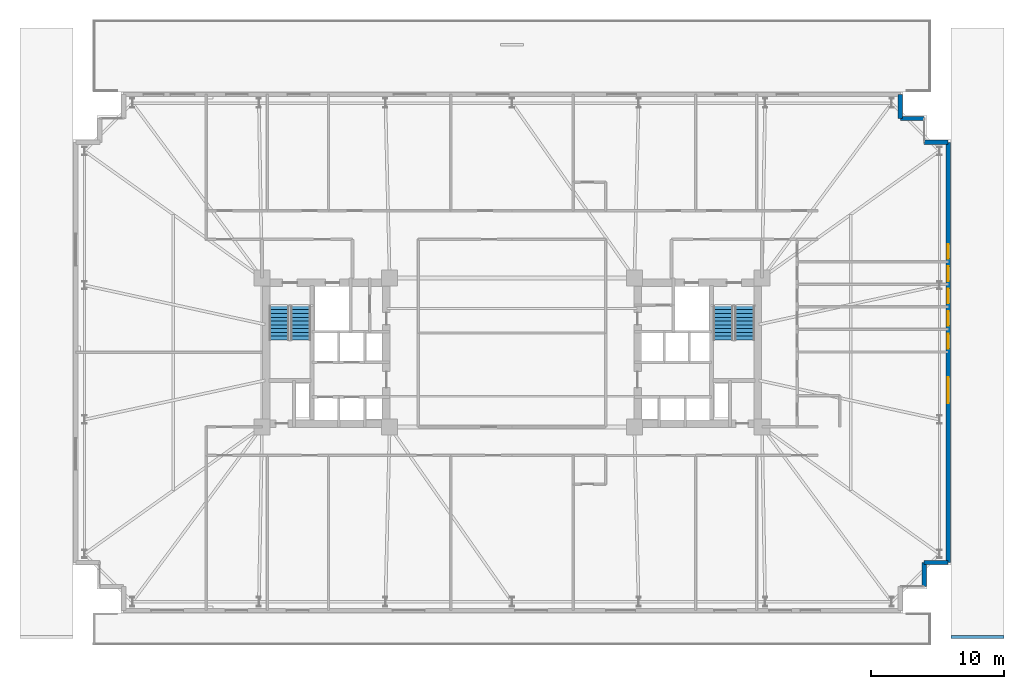
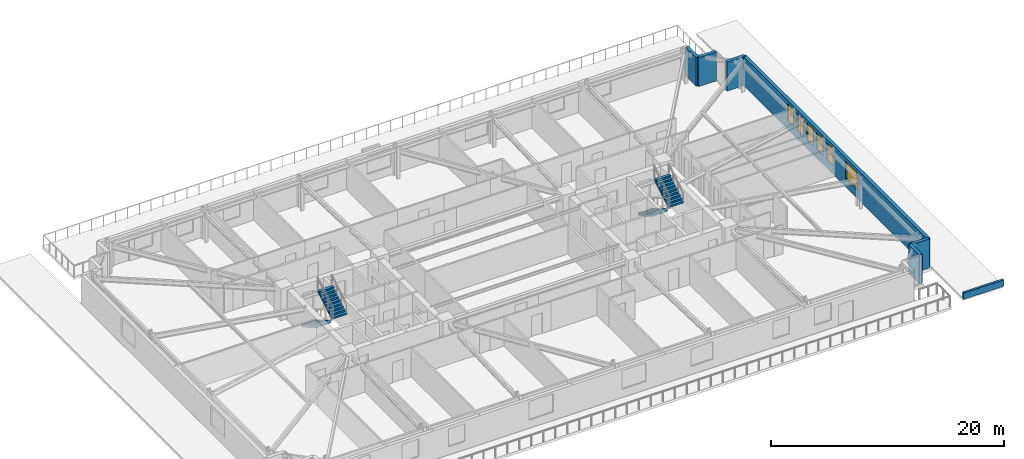
# One storey, part 16 of 21: 7 walls, 6 windows, 4 stair flights, 6 openings, 2 elements without a shape of their own.
"""IFC4 building model written with IfcOpenShell, lengths in metres."""

from ifc_helpers import new_model, si_unit, direction, frame, frame_2d, origin, place, context, subcontext, project, spatial, polyline, rectangle, outline, extrude, material, layer, layer_set, type_object, element, fill, aggregate, save


model = new_model("IFC4")

# Units and contexts
model_context = context("Model", 3, precision=1e-05, world=origin(), true_north=direction((0.0, 1.0)))
body_context = subcontext(model_context, "Body", "Model", "MODEL_VIEW")
ifc_project = project(units=[si_unit("LENGTHUNIT", "METRE"), si_unit("AREAUNIT", "SQUARE_METRE"), si_unit("VOLUMEUNIT", "CUBIC_METRE"), si_unit("PLANEANGLEUNIT", "RADIAN"), si_unit("MASSUNIT", "GRAM", prefix="KILO")], contexts=[model_context])

# Site, building, storey
site_placement = place(None, origin())
site = spatial("IfcSite", under=ifc_project, at=site_placement, CompositionType="ELEMENT")
building_placement = place(site_placement, origin())
building = spatial("IfcBuilding", under=site, at=building_placement, Name="Qobustan Lattice House", CompositionType="ELEMENT")
storey_placement = place(building_placement, frame((0.0, 0.0, 27.0)))
storey = spatial("IfcBuildingStorey", under=building, at=storey_placement, Name="L06", CompositionType="ELEMENT", Elevation=27.0)

# Walls
ifc_material_1 = material(Name="Precast concrete C40/50", Category="concrete")
ifc_layer_1 = layer(ifc_material_1, 0.320068359375)
ifc_layer_set_1 = layer_set([ifc_layer_1], Name="Precast concrete C40/50")
wall_type_1 = type_object("IfcWallType", Name="WAL-EXT-STONE-320", PredefinedType="SOLIDWALL", material=ifc_layer_set_1)
wall_1_placement = place(storey_placement, frame((29.199951171875, 19.39990234375, 0.0), z_axis=(0.0, 0.0, 1.0), x_axis=(0.0, -1.0, 0.0)))
element("IfcWall", 1, at=wall_1_placement, inside=storey, type_object=wall_type_1, Name="L06 exterior limestone-clad wall 11", PredefinedType="SOLIDWALL", context=body_context, shape_type="SweptSolid", body=[
    extrude(rectangle(XDim=1.7998046875, YDim=0.320068359375, at=frame_2d((0.89990234375, 0.0))), origin(), (0.0, 0.0, 1.0), 3.034912109375),
])
for number, where, z_axis, x_axis, name in (
    (2, (29.199951171875, 17.60009765625, 0.0), (0.0, 0.0, 1.0), (1.0, 0.0, 0.0), "L06 exterior limestone-clad wall 12"),
    (3, (31.0, 15.800048828125, 0.0), (0.0, 0.0, 1.0), (1.0, 0.0, 0.0), "L06 exterior limestone-clad wall 14"),
):
    element("IfcWall", number, at=place(storey_placement, frame(where, z_axis=z_axis, x_axis=x_axis)), inside=storey, type_object=wall_type_1, Name=name, PredefinedType="SOLIDWALL", context=body_context, shape_type="SweptSolid", body=[
        extrude(rectangle(XDim=1.800048828125, YDim=0.320068359375, at=frame_2d((0.89990234375, 0.0))), origin(), (0.0, 0.0, 1.0), 3.034912109375),
    ])

# Wall, openings, windows
wall_2_placement = place(storey_placement, frame((32.800048828125, 15.800048828125, 0.0), z_axis=(0.0, 0.0, 1.0), x_axis=(0.0, -1.0, 0.0)))
wall_2 = element("IfcWall", 4, at=wall_2_placement, inside=storey, type_object=wall_type_1, Name="L06 exterior limestone-clad wall 15", PredefinedType="SOLIDWALL", context=body_context, shape_type="SweptSolid", body=[
    extrude(rectangle(XDim=31.60009765625, YDim=0.320068359375, at=frame_2d((15.800048828125, 0.0))), origin(), (0.0, 0.0, 1.0), 3.034912109375),
])
opening_1_placement = place(wall_2_placement, frame((7.64990234375, 0.0, 0.85009765625)))
opening_1 = element("IfcOpeningElement", 5, at=opening_1_placement, cuts=wall_2, Name="Opening WN-04", PredefinedType="OPENING", context=body_context, shape_type="SweptSolid", body=[
    extrude(rectangle(XDim=1.10009765625, YDim=1.85009765625, at=frame_2d((0.550048828125, 0.925048828125))), frame((0.0, 0.169921875, 0.0), z_axis=(0.0, -1.0, 0.0), x_axis=(1.0, 0.0, 0.0)), (0.0, 0.0, 1.0), 0.340087890625),
])
opening_2_placement = place(wall_2_placement, frame((9.330078125, 0.0, 0.85009765625)))
opening_2 = element("IfcOpeningElement", 6, at=opening_2_placement, cuts=wall_2, Name="Opening WN-04", PredefinedType="OPENING", context=body_context, shape_type="SweptSolid", body=[
    extrude(rectangle(XDim=1.10009765625, YDim=1.85009765625, at=frame_2d((0.550048828125, 0.925048828125))), frame((0.0, 0.169921875, 0.0), z_axis=(0.0, -1.0, 0.0), x_axis=(1.0, 0.0, 0.0)), (0.0, 0.0, 1.0), 0.340087890625),
])
opening_3_placement = place(wall_2_placement, frame((11.010009765625, 0.0, 0.85009765625)))
opening_3 = element("IfcOpeningElement", 7, at=opening_3_placement, cuts=wall_2, Name="Opening WN-04", PredefinedType="OPENING", context=body_context, shape_type="SweptSolid", body=[
    extrude(rectangle(XDim=1.10009765625, YDim=1.85009765625, at=frame_2d((0.550048828125, 0.925048828125))), frame((0.0, 0.169921875, 0.0), z_axis=(0.0, -1.0, 0.0), x_axis=(1.0, 0.0, 0.0)), (0.0, 0.0, 1.0), 0.340087890625),
])
opening_4_placement = place(wall_2_placement, frame((12.68994140625, 0.0, 0.85009765625)))
opening_4 = element("IfcOpeningElement", 8, at=opening_4_placement, cuts=wall_2, Name="Opening WN-04", PredefinedType="OPENING", context=body_context, shape_type="SweptSolid", body=[
    extrude(rectangle(XDim=1.10009765625, YDim=1.85009765625, at=frame_2d((0.550048828125, 0.925048828125))), frame((0.0, 0.169921875, 0.0), z_axis=(0.0, -1.0, 0.0), x_axis=(1.0, 0.0, 0.0)), (0.0, 0.0, 1.0), 0.340087890625),
])
opening_5_placement = place(wall_2_placement, frame((14.409912109375, 0.0, 0.85009765625)))
opening_5 = element("IfcOpeningElement", 9, at=opening_5_placement, cuts=wall_2, Name="Opening WN-04", PredefinedType="OPENING", context=body_context, shape_type="SweptSolid", body=[
    extrude(rectangle(XDim=1.10009765625, YDim=1.85009765625, at=frame_2d((0.550048828125, 0.925048828125))), frame((0.0, 0.169921875, 0.0), z_axis=(0.0, -1.0, 0.0), x_axis=(1.0, 0.0, 0.0)), (0.0, 0.0, 1.0), 0.340087890625),
])
opening_6_placement = place(wall_2_placement, frame((17.6650390625, 0.0, 0.85009765625)))
opening_6 = element("IfcOpeningElement", 10, at=opening_6_placement, cuts=wall_2, Name="Opening WN-08", PredefinedType="OPENING", context=body_context, shape_type="SweptSolid", body=[
    extrude(rectangle(XDim=1.949951171875, YDim=1.85009765625, at=frame_2d((0.97509765625, 0.925048828125))), frame((0.0, 0.169921875, 0.0), z_axis=(0.0, -1.0, 0.0), x_axis=(1.0, 0.0, 0.0)), (0.0, 0.0, 1.0), 0.340087890625),
])
ifc_material_2 = material(Name="Double-glazed low-E aluminium window", Category="aluminium")
window_type_1 = type_object("IfcWindowType", Name="WIN-KIT-1950x1850", PartitioningType="SINGLE_PANEL", PredefinedType="WINDOW", material=ifc_material_2)
window_1_placement = place(opening_6_placement, origin())
window_1 = element("IfcWindow", 11, at=window_1_placement, inside=storey, type_object=window_type_1, Name="L06 Shared kitchen L06E window", OverallHeight=1.85009765625, OverallWidth=1.949951171875, PartitioningType="SINGLE_PANEL", PredefinedType="WINDOW", context=body_context, shape_type="SweptSolid", body=[
    extrude(rectangle(XDim=1.949951171875, YDim=1.85009765625, at=frame_2d((0.97509765625, 0.925048828125))), frame((0.0, 0.030029296875, 0.0), z_axis=(0.0, -1.0, 0.0), x_axis=(1.0, 0.0, 0.0)), (0.0, 0.0, 1.0), 0.06005859375),
])
fill(opening_6, window_1)
ifc_material_3 = material(Name="Double-glazed low-E aluminium window", Category="aluminium")
window_type_2 = type_object("IfcWindowType", Name="WIN-NAR-1100x1850", PartitioningType="SINGLE_PANEL", PredefinedType="WINDOW", material=ifc_material_3)
window_2_placement = place(opening_1_placement, origin())
window_2 = element("IfcWindow", 12, at=window_2_placement, inside=storey, type_object=window_type_2, Name="L06 Cluster bedroom L06E5 window", OverallHeight=1.85009765625, OverallWidth=1.10009765625, PartitioningType="SINGLE_PANEL", PredefinedType="WINDOW", context=body_context, shape_type="SweptSolid", body=[
    extrude(rectangle(XDim=1.10009765625, YDim=1.85009765625, at=frame_2d((0.550048828125, 0.925048828125))), frame((0.0, 0.030029296875, 0.0), z_axis=(0.0, -1.0, 0.0), x_axis=(1.0, 0.0, 0.0)), (0.0, 0.0, 1.0), 0.06005859375),
])
fill(opening_1, window_2)
window_3_placement = place(opening_2_placement, origin())
window_3 = element("IfcWindow", 13, at=window_3_placement, inside=storey, type_object=window_type_2, Name="L06 Cluster bedroom L06E4 window", OverallHeight=1.85009765625, OverallWidth=1.10009765625, PartitioningType="SINGLE_PANEL", PredefinedType="WINDOW", context=body_context, shape_type="SweptSolid", body=[
    extrude(rectangle(XDim=1.10009765625, YDim=1.85009765625, at=frame_2d((0.550048828125, 0.925048828125))), frame((0.0, 0.030029296875, 0.0), z_axis=(0.0, -1.0, 0.0), x_axis=(1.0, 0.0, 0.0)), (0.0, 0.0, 1.0), 0.06005859375),
])
fill(opening_2, window_3)
window_4_placement = place(opening_3_placement, origin())
window_4 = element("IfcWindow", 14, at=window_4_placement, inside=storey, type_object=window_type_2, Name="L06 Cluster bedroom L06E3 window", OverallHeight=1.85009765625, OverallWidth=1.10009765625, PartitioningType="SINGLE_PANEL", PredefinedType="WINDOW", context=body_context, shape_type="SweptSolid", body=[
    extrude(rectangle(XDim=1.10009765625, YDim=1.85009765625, at=frame_2d((0.550048828125, 0.925048828125))), frame((0.0, 0.030029296875, 0.0), z_axis=(0.0, -1.0, 0.0), x_axis=(1.0, 0.0, 0.0)), (0.0, 0.0, 1.0), 0.06005859375),
])
fill(opening_3, window_4)
window_5_placement = place(opening_4_placement, origin())
window_5 = element("IfcWindow", 15, at=window_5_placement, inside=storey, type_object=window_type_2, Name="L06 Cluster bedroom L06E2 window", OverallHeight=1.85009765625, OverallWidth=1.10009765625, PartitioningType="SINGLE_PANEL", PredefinedType="WINDOW", context=body_context, shape_type="SweptSolid", body=[
    extrude(rectangle(XDim=1.10009765625, YDim=1.85009765625, at=frame_2d((0.550048828125, 0.925048828125))), frame((0.0, 0.030029296875, 0.0), z_axis=(0.0, -1.0, 0.0), x_axis=(1.0, 0.0, 0.0)), (0.0, 0.0, 1.0), 0.06005859375),
])
fill(opening_4, window_5)
window_6_placement = place(opening_5_placement, origin())
window_6 = element("IfcWindow", 16, at=window_6_placement, inside=storey, type_object=window_type_2, Name="L06 Cluster bedroom L06E1 window", OverallHeight=1.85009765625, OverallWidth=1.10009765625, PartitioningType="SINGLE_PANEL", PredefinedType="WINDOW", context=body_context, shape_type="SweptSolid", body=[
    extrude(rectangle(XDim=1.10009765625, YDim=1.85009765625, at=frame_2d((0.550048828125, 0.925048828125))), frame((0.0, 0.030029296875, 0.0), z_axis=(0.0, -1.0, 0.0), x_axis=(1.0, 0.0, 0.0)), (0.0, 0.0, 1.0), 0.06005859375),
])
fill(opening_5, window_6)

# Walls
for number, where, z_axis, x_axis, name in (
    (17, (32.800048828125, -15.800048828125, 0.0), (0.0, 0.0, 1.0), (-1.0, 0.0, 0.0), "L06 exterior limestone-clad wall 16"),
    (18, (31.0, -15.800048828125, 0.0), (0.0, 0.0, 1.0), (0.0, -1.0, 0.0), "L06 exterior limestone-clad wall 17"),
):
    element("IfcWall", number, at=place(storey_placement, frame(where, z_axis=z_axis, x_axis=x_axis)), inside=storey, type_object=wall_type_1, Name=name, PredefinedType="SOLIDWALL", context=body_context, shape_type="SweptSolid", body=[
        extrude(rectangle(XDim=1.800048828125, YDim=0.320068359375, at=frame_2d((0.89990234375, 0.0))), origin(), (0.0, 0.0, 1.0), 3.034912109375),
    ])
ifc_material_4 = material(Name="Precast concrete C40/50", Category="concrete")
ifc_layer_2 = layer(ifc_material_4, 0.219970703125)
ifc_layer_set_2 = layer_set([ifc_layer_2], Name="Precast concrete C40/50")
wall_type_2 = type_object("IfcWallType", Name="WAL-PARAPET-220", PredefinedType="PARAPET", material=ifc_layer_set_2)
wall_3_placement = place(storey_placement, frame((33.0, -21.39990234375, 0.0), z_axis=(0.0, 0.0, 1.0), x_axis=(1.0, 0.0, 0.0)))
element("IfcWall", 19, at=wall_3_placement, inside=storey, type_object=wall_type_2, Name="L06 maintenance roof parapet 2", PredefinedType="PARAPET", context=body_context, shape_type="SweptSolid", body=[
    extrude(rectangle(XDim=4.0, YDim=0.219970703125, at=frame_2d((2.0, 0.0))), origin(), (0.0, 0.0, 1.0), 0.64990234375),
])

# Stair, stair flights
ifc_material_5 = material(Name="Concrete C40/50", Category="concrete")
stair_type = type_object("IfcStairType", Name="STR-CORE-DOGLEG", PredefinedType="HALF_TURN_STAIR", material=ifc_material_5)
stair_1_placement = place(storey_placement, origin())
stair_1 = element("IfcStair", 20, at=stair_1_placement, inside=storey, type_object=stair_type, Name="L06 West protected exit stair ST-W1", PredefinedType="HALF_TURN_STAIR")
ifc_material_6 = material(Name="Concrete C40/50", Category="concrete")
stair_flight_type = type_object("IfcStairFlightType", Name="SFL-RC-1500", PredefinedType="STRAIGHT", material=ifc_material_6)
stair_flight_1_placement = place(storey_placement, frame((-17.5, 3.5, 0.0), z_axis=(0.0, 0.0, 1.0), x_axis=(0.0, -1.0, 0.0)))
stair_flight_1 = element("IfcStairFlight", 21, at=stair_flight_1_placement, type_object=stair_flight_type, Name="ST-W1 flight 1", NumberOfRisers=10, NumberOfTreads=9, PredefinedType="STRAIGHT", RiserHeight=0.1675, TreadLength=0.285, context=body_context, shape_type="SweptSolid", body=[
    extrude(outline(polyline([(0.0, 0.0), (0.0, 0.16748046875), (0.284912109375, 0.16748046875), (0.284912109375, 0.3349609375), (0.570068359375, 0.3349609375), (0.570068359375, 0.50244140625), (0.85498046875, 0.50244140625), (0.85498046875, 0.669921875), (1.139892578125, 0.669921875), (1.139892578125, 0.83740234375), (1.425048828125, 0.83740234375), (1.425048828125, 1.0048828125), (1.7099609375, 1.0048828125), (1.7099609375, 1.172607421875), (1.9951171875, 1.172607421875), (1.9951171875, 1.340087890625), (2.280029296875, 1.340087890625), (2.280029296875, 1.507568359375), (2.56494140625, 1.507568359375), (2.56494140625, 1.675048828125), (2.56494140625, 1.333740234375), (0.2958984375, 0.0), (0.0, 0.0)])), frame((0.0, 0.75, 0.0), z_axis=(0.0, -1.0, 0.0), x_axis=(1.0, 0.0, 0.0)), (0.0, 0.0, 1.0), 1.5),
])
stair_flight_2_placement = place(storey_placement, frame((-15.8798828125, 0.93505859375, 1.675048828125), z_axis=(0.0, 0.0, 1.0), x_axis=(0.0, 1.0, 0.0)))
stair_flight_2 = element("IfcStairFlight", 22, at=stair_flight_2_placement, type_object=stair_flight_type, Name="ST-W1 flight 2", NumberOfRisers=10, NumberOfTreads=9, PredefinedType="STRAIGHT", RiserHeight=0.1675, TreadLength=0.285, context=body_context, shape_type="SweptSolid", body=[
    extrude(outline(polyline([(0.0, 0.0), (0.0, 0.16748046875), (0.284912109375, 0.16748046875), (0.284912109375, 0.3349609375), (0.570068359375, 0.3349609375), (0.570068359375, 0.50244140625), (0.85498046875, 0.50244140625), (0.85498046875, 0.669921875), (1.139892578125, 0.669921875), (1.139892578125, 0.83740234375), (1.425048828125, 0.83740234375), (1.425048828125, 1.0048828125), (1.7099609375, 1.0048828125), (1.7099609375, 1.172607421875), (1.9951171875, 1.172607421875), (1.9951171875, 1.340087890625), (2.280029296875, 1.340087890625), (2.280029296875, 1.507568359375), (2.56494140625, 1.507568359375), (2.56494140625, 1.675048828125), (2.56494140625, 1.333740234375), (0.2958984375, 0.0), (0.0, 0.0)])), frame((0.0, 0.75, 0.0), z_axis=(0.0, -1.0, 0.0), x_axis=(1.0, 0.0, 0.0)), (0.0, 0.0, 1.0), 1.5),
])
aggregate(stair_1, [stair_flight_1, stair_flight_2])

stair_2_placement = place(storey_placement, origin())
stair_2 = element("IfcStair", 23, at=stair_2_placement, inside=storey, type_object=stair_type, Name="L06 East protected exit stair ST-E1", PredefinedType="HALF_TURN_STAIR")
stair_flight_3_placement = place(storey_placement, frame((15.8798828125, 3.5, 0.0), z_axis=(0.0, 0.0, 1.0), x_axis=(0.0, -1.0, 0.0)))
stair_flight_3 = element("IfcStairFlight", 24, at=stair_flight_3_placement, type_object=stair_flight_type, Name="ST-E1 flight 1", NumberOfRisers=10, NumberOfTreads=9, PredefinedType="STRAIGHT", RiserHeight=0.1675, TreadLength=0.285, context=body_context, shape_type="SweptSolid", body=[
    extrude(outline(polyline([(0.0, 0.0), (0.0, 0.16748046875), (0.284912109375, 0.16748046875), (0.284912109375, 0.3349609375), (0.570068359375, 0.3349609375), (0.570068359375, 0.50244140625), (0.85498046875, 0.50244140625), (0.85498046875, 0.669921875), (1.139892578125, 0.669921875), (1.139892578125, 0.83740234375), (1.425048828125, 0.83740234375), (1.425048828125, 1.0048828125), (1.7099609375, 1.0048828125), (1.7099609375, 1.172607421875), (1.9951171875, 1.172607421875), (1.9951171875, 1.340087890625), (2.280029296875, 1.340087890625), (2.280029296875, 1.507568359375), (2.56494140625, 1.507568359375), (2.56494140625, 1.675048828125), (2.56494140625, 1.333740234375), (0.2958984375, 0.0), (0.0, 0.0)])), frame((0.0, 0.75, 0.0), z_axis=(0.0, -1.0, 0.0), x_axis=(1.0, 0.0, 0.0)), (0.0, 0.0, 1.0), 1.5),
])
stair_flight_4_placement = place(storey_placement, frame((17.5, 0.93505859375, 1.675048828125), z_axis=(0.0, 0.0, 1.0), x_axis=(0.0, 1.0, 0.0)))
stair_flight_4 = element("IfcStairFlight", 25, at=stair_flight_4_placement, type_object=stair_flight_type, Name="ST-E1 flight 2", NumberOfRisers=10, NumberOfTreads=9, PredefinedType="STRAIGHT", RiserHeight=0.1675, TreadLength=0.285, context=body_context, shape_type="SweptSolid", body=[
    extrude(outline(polyline([(0.0, 0.0), (0.0, 0.16748046875), (0.284912109375, 0.16748046875), (0.284912109375, 0.3349609375), (0.570068359375, 0.3349609375), (0.570068359375, 0.50244140625), (0.85498046875, 0.50244140625), (0.85498046875, 0.669921875), (1.139892578125, 0.669921875), (1.139892578125, 0.83740234375), (1.425048828125, 0.83740234375), (1.425048828125, 1.0048828125), (1.7099609375, 1.0048828125), (1.7099609375, 1.172607421875), (1.9951171875, 1.172607421875), (1.9951171875, 1.340087890625), (2.280029296875, 1.340087890625), (2.280029296875, 1.507568359375), (2.56494140625, 1.507568359375), (2.56494140625, 1.675048828125), (2.56494140625, 1.333740234375), (0.2958984375, 0.0), (0.0, 0.0)])), frame((0.0, 0.75, 0.0), z_axis=(0.0, -1.0, 0.0), x_axis=(1.0, 0.0, 0.0)), (0.0, 0.0, 1.0), 1.5),
])
aggregate(stair_2, [stair_flight_3, stair_flight_4])

save(model, "model.ifc")
